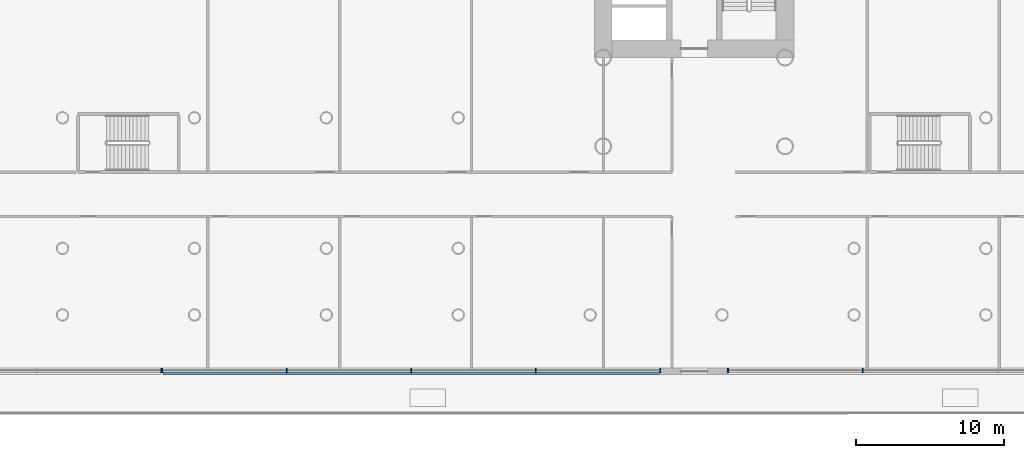
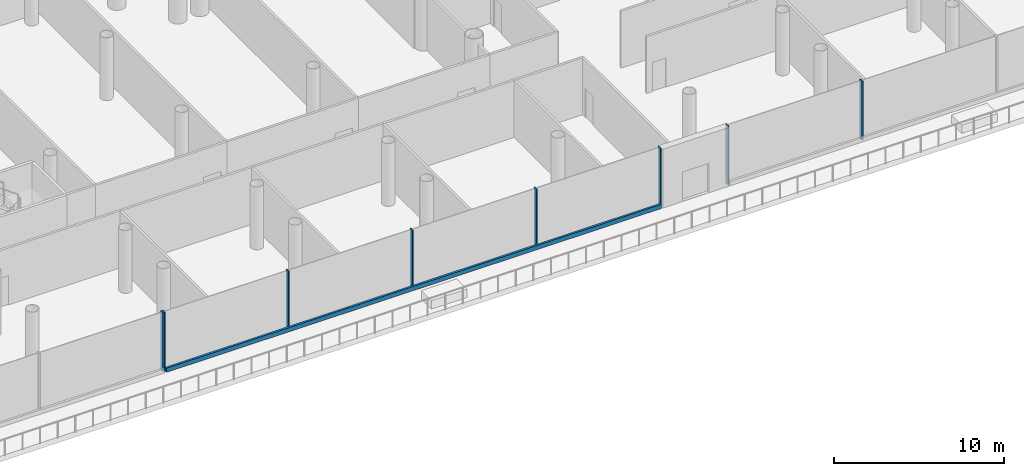
# One storey, part 8 of 49: 9 members, 3 elements without a shape of their own.
"""IFC4 building model written with IfcOpenShell, lengths in metres."""

from ifc_helpers import new_model, si_unit, direction, frame, origin, origin_2d, place, context, subcontext, project, spatial, rectangle, extrude, material, layer, layer_set, material_profile, profile_set, type_object, element, aggregate, save


model = new_model("IFC4")

# Units and contexts
model_context = context("Model", 3, precision=1e-05, world=origin(), true_north=direction((0.0, 1.0)))
body_context = subcontext(model_context, "Body", "Model", "MODEL_VIEW")
ifc_project = project(units=[si_unit("LENGTHUNIT", "METRE"), si_unit("AREAUNIT", "SQUARE_METRE"), si_unit("VOLUMEUNIT", "CUBIC_METRE"), si_unit("PLANEANGLEUNIT", "RADIAN"), si_unit("MASSUNIT", "GRAM", prefix="KILO")], contexts=[model_context])

# Site, building, storey
site_placement = place(None, origin())
site = spatial("IfcSite", under=ifc_project, at=site_placement, CompositionType="ELEMENT")
building_placement = place(site_placement, origin())
building = spatial("IfcBuilding", under=site, at=building_placement, Name="Ipe Terrace Towers", CompositionType="ELEMENT")
storey_placement = place(building_placement, frame((0.0, 0.0, 11.0)))
storey = spatial("IfcBuildingStorey", under=building, at=storey_placement, Name="L02", CompositionType="ELEMENT", Elevation=11.0)

# Curtain wall, member
ifc_material_1 = material(Name="Aluminium alloy 6063-T6", Category="aluminium")
ifc_layer = layer(ifc_material_1, 0.43994140625)
ifc_layer_set = layer_set([ifc_layer], Name="PODIUM GLAZING CURTAIN WALL")
curtain_wall_type = type_object("IfcCurtainWallType", Name="PODIUM GLAZING CURTAIN WALL", PredefinedType="NOTDEFINED", material=ifc_layer_set)
curtain_wall_1_placement = place(storey_placement, origin())
curtain_wall_1 = element("IfcCurtainWall", 1, at=curtain_wall_1_placement, inside=storey, type_object=curtain_wall_type, Name="POD-CW-L02-03c curtain wall", PredefinedType="NOTDEFINED")
ifc_material_2 = material(Name="Aluminium alloy 6063-T6", Category="aluminium")
ifc_material_profile_1 = material_profile(ifc_material_2, rectangle(XDim=0.300048828125, YDim=0.080078125, at=origin_2d()), Name="PODIUM GLAZING MULLION 300 x 80")
ifc_profile_set_1 = profile_set([ifc_material_profile_1], Name="Aluminium alloy 6063-T6")
member_type_1 = type_object("IfcMemberType", Name="PODIUM GLAZING MULLION 300 x 80", PredefinedType="MULLION", material=ifc_profile_set_1)
member_1_placement = place(storey_placement, frame((-0.0400390625, -36.89990234375, -0.02001953125), z_axis=(0.0, 0.0, 1.0), x_axis=(0.0, -1.0, 0.0)))
member_1 = element("IfcMember", 2, at=member_1_placement, type_object=member_type_1, Name="POD-CW-L02-03c mullion 5", PredefinedType="MULLION", context=body_context, shape_type="SweptSolid", body=[
    extrude(rectangle(XDim=0.300048828125, YDim=0.080078125, at=origin_2d()), origin(), (0.0, 0.0, 1.0), 4.219970703125),
])
aggregate(curtain_wall_1, [member_1])

# Curtain wall, members
curtain_wall_2_placement = place(storey_placement, origin())
curtain_wall_2 = element("IfcCurtainWall", 3, at=curtain_wall_2_placement, inside=storey, type_object=curtain_wall_type, Name="POD-CW-L02-03d curtain wall", PredefinedType="NOTDEFINED")
member_2_placement = place(storey_placement, frame((0.0400390625, -36.89990234375, -0.02001953125), z_axis=(0.0, 0.0, 1.0), x_axis=(0.0, -1.0, 0.0)))
member_2 = element("IfcMember", 4, at=member_2_placement, type_object=member_type_1, Name="POD-CW-L02-03d mullion 1", PredefinedType="MULLION", context=body_context, shape_type="SweptSolid", body=[
    extrude(rectangle(XDim=0.300048828125, YDim=0.080078125, at=origin_2d()), origin(), (0.0, 0.0, 1.0), 4.219970703125),
])
member_3_placement = place(storey_placement, frame((8.45751953125, -36.89990234375, -0.02001953125), z_axis=(0.0, 0.0, 1.0), x_axis=(0.0, -1.0, 0.0)))
member_3 = element("IfcMember", 5, at=member_3_placement, type_object=member_type_1, Name="POD-CW-L02-03d mullion 2", PredefinedType="MULLION", context=body_context, shape_type="SweptSolid", body=[
    extrude(rectangle(XDim=0.300048828125, YDim=0.080078125, at=origin_2d()), origin(), (0.0, 0.0, 1.0), 4.219970703125),
])
member_4_placement = place(storey_placement, frame((16.875, -36.89990234375, -0.02001953125), z_axis=(0.0, 0.0, 1.0), x_axis=(0.0, -1.0, 0.0)))
member_4 = element("IfcMember", 6, at=member_4_placement, type_object=member_type_1, Name="POD-CW-L02-03d mullion 3", PredefinedType="MULLION", context=body_context, shape_type="SweptSolid", body=[
    extrude(rectangle(XDim=0.300048828125, YDim=0.080078125, at=origin_2d()), origin(), (0.0, 0.0, 1.0), 4.219970703125),
])
member_5_placement = place(storey_placement, frame((25.29248046875, -36.89990234375, -0.02001953125), z_axis=(0.0, 0.0, 1.0), x_axis=(0.0, -1.0, 0.0)))
member_5 = element("IfcMember", 7, at=member_5_placement, type_object=member_type_1, Name="POD-CW-L02-03d mullion 4", PredefinedType="MULLION", context=body_context, shape_type="SweptSolid", body=[
    extrude(rectangle(XDim=0.300048828125, YDim=0.080078125, at=origin_2d()), origin(), (0.0, 0.0, 1.0), 4.219970703125),
])
member_6_placement = place(storey_placement, frame((33.7099609375, -36.89990234375, -0.02001953125), z_axis=(0.0, 0.0, 1.0), x_axis=(0.0, -1.0, 0.0)))
member_6 = element("IfcMember", 8, at=member_6_placement, type_object=member_type_1, Name="POD-CW-L02-03d mullion 5", PredefinedType="MULLION", context=body_context, shape_type="SweptSolid", body=[
    extrude(rectangle(XDim=0.300048828125, YDim=0.080078125, at=origin_2d()), origin(), (0.0, 0.0, 1.0), 4.219970703125),
])

curtain_wall_3_placement = place(storey_placement, origin())
curtain_wall_3 = element("IfcCurtainWall", 9, at=curtain_wall_3_placement, inside=storey, type_object=curtain_wall_type, Name="POD-CW-L02-03f curtain wall", PredefinedType="NOTDEFINED")
member_7_placement = place(storey_placement, frame((38.2900390625, -36.89990234375, -0.02001953125), z_axis=(0.0, 0.0, 1.0), x_axis=(0.0, -1.0, 0.0)))
member_7 = element("IfcMember", 10, at=member_7_placement, type_object=member_type_1, Name="POD-CW-L02-03f mullion 1", PredefinedType="MULLION", context=body_context, shape_type="SweptSolid", body=[
    extrude(rectangle(XDim=0.300048828125, YDim=0.080078125, at=origin_2d()), origin(), (0.0, 0.0, 1.0), 4.219970703125),
])
member_8_placement = place(storey_placement, frame((47.409912109375, -36.89990234375, -0.02001953125), z_axis=(0.0, 0.0, 1.0), x_axis=(0.0, -1.0, 0.0)))
member_8 = element("IfcMember", 11, at=member_8_placement, type_object=member_type_1, Name="POD-CW-L02-03f mullion 2", PredefinedType="MULLION", context=body_context, shape_type="SweptSolid", body=[
    extrude(rectangle(XDim=0.300048828125, YDim=0.080078125, at=origin_2d()), origin(), (0.0, 0.0, 1.0), 4.219970703125),
])
aggregate(curtain_wall_3, [member_7, member_8])

# Member
ifc_material_3 = material(Name="Aluminium alloy 6063-T6", Category="aluminium")
ifc_material_profile_2 = material_profile(ifc_material_3, rectangle(XDim=0.139892578125, YDim=0.300048828125, at=origin_2d()), Name="PODIUM GLAZING TRANSOM 140 x 300")
ifc_profile_set_2 = profile_set([ifc_material_profile_2], Name="Aluminium alloy 6063-T6")
member_type_2 = type_object("IfcMemberType", Name="PODIUM GLAZING TRANSOM 140 x 300", PredefinedType="USERDEFINED", material=ifc_profile_set_2)
member_9_placement = place(storey_placement, frame((0.080078125, -37.1201171875, 0.1298828125), z_axis=(1.0, 0.0, 0.0), x_axis=(0.0, -1.0, 0.0)))
member_9 = element("IfcMember", 12, at=member_9_placement, type_object=member_type_2, Name="POD-CW-L02-03d transom", ObjectType="TRANSOM", PredefinedType="USERDEFINED", context=body_context, shape_type="SweptSolid", body=[
    extrude(rectangle(XDim=0.139892578125, YDim=0.300048828125, at=origin_2d()), origin(), (0.0, 0.0, 1.0), 33.58984375),
])

aggregate(curtain_wall_2, [member_2, member_3, member_4, member_5, member_6, member_9])

save(model, "model.ifc")
